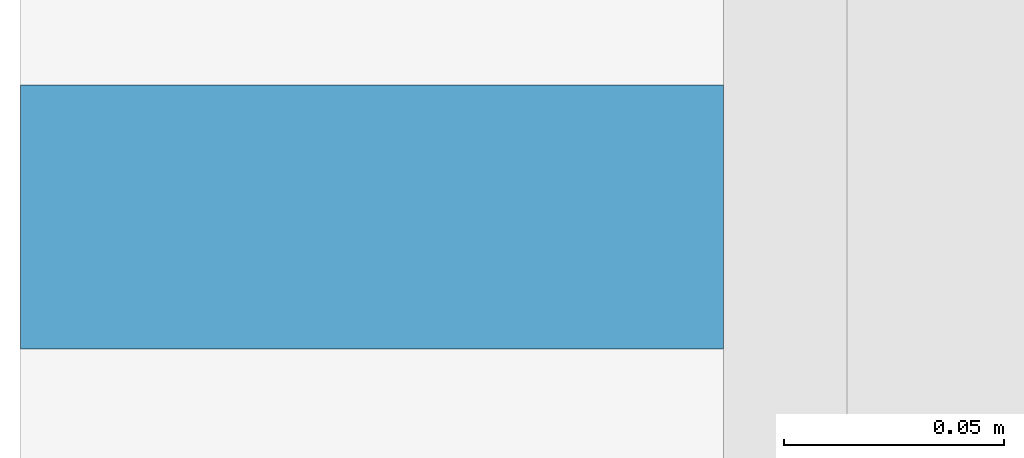
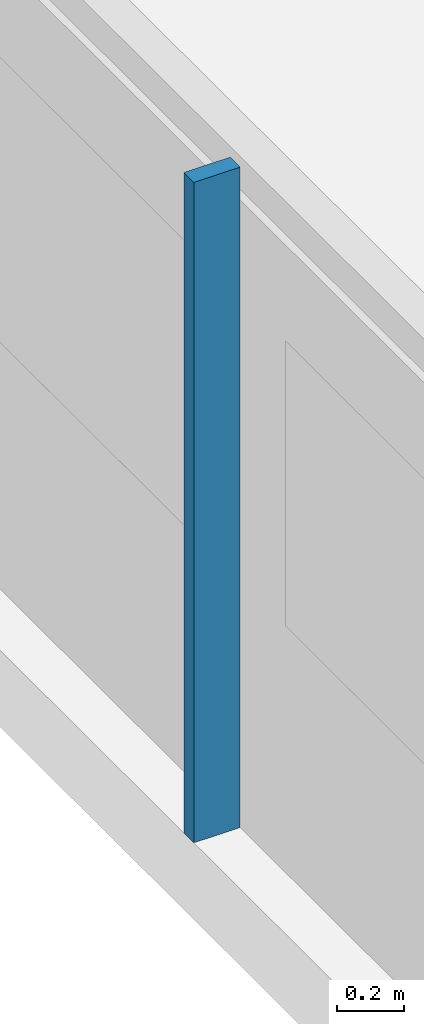
# One storey, part 4 of 24: 1 member, 1 element without a shape of its own.
"""IFC4 building model written with IfcOpenShell, lengths in metres."""

from ifc_helpers import new_model, si_unit, direction, frame, origin, origin_2d, place, context, subcontext, project, spatial, rectangle, extrude, material, material_profile, profile_set, type_object, element, aggregate, save


model = new_model("IFC4")

# Units and contexts
model_context = context("Model", 3, precision=1e-05, world=origin(), true_north=direction((0.0, 1.0)))
body_context = subcontext(model_context, "Body", "Model", "MODEL_VIEW")
ifc_project = project(units=[si_unit("LENGTHUNIT", "METRE"), si_unit("AREAUNIT", "SQUARE_METRE"), si_unit("VOLUMEUNIT", "CUBIC_METRE"), si_unit("PLANEANGLEUNIT", "RADIAN"), si_unit("MASSUNIT", "GRAM", prefix="KILO")], contexts=[model_context])

# Site, building, storey
site_placement = place(None, origin())
site = spatial("IfcSite", under=ifc_project, at=site_placement, CompositionType="ELEMENT")
building_placement = place(site_placement, origin())
building = spatial("IfcBuilding", under=site, at=building_placement, Name="Saffron Gate Tower", CompositionType="ELEMENT")
storey_placement = place(building_placement, frame((0.0, 0.0, 190.64990234375)))
storey = spatial("IfcBuildingStorey", under=building, at=storey_placement, Name="L47", CompositionType="ELEMENT", Elevation=190.64990234375)

# Curtain wall, member
ifc_material = material(Name="Aluminium, bronze anodised", Category="aluminium")
curtain_wall_type = type_object("IfcCurtainWallType", Name="CWS2 curtain wall side facades", PredefinedType="NOTDEFINED", material=ifc_material)
curtain_wall_placement = place(storey_placement, origin())
curtain_wall = element("IfcCurtainWall", 1, at=curtain_wall_placement, inside=storey, type_object=curtain_wall_type, Name="CWS2 run 10", PredefinedType="NOTDEFINED")
ifc_material_profile = material_profile(ifc_material, rectangle(XDim=0.159912109375, YDim=0.06005859375, at=origin_2d()))
ifc_profile_set = profile_set([ifc_material_profile], Name="Aluminium, bronze anodised")
member_type = type_object("IfcMemberType", Name="CWS2 mullion 60x160", PredefinedType="MULLION", material=ifc_profile_set)
member_placement = place(storey_placement, frame((48.080078125, 48.60009765625, 0.0), z_axis=(0.0, 0.0, 1.0), x_axis=(1.0, 0.0, 0.0)))
member = element("IfcMember", 2, at=member_placement, type_object=member_type, Name="CWS2 mullion 4", PredefinedType="MULLION", context=body_context, shape_type="SweptSolid", body=[
    extrude(rectangle(XDim=0.159912109375, YDim=0.06005859375, at=origin_2d()), origin(), (0.0, 0.0, 1.0), 2.41015625),
])
aggregate(curtain_wall, [member])

save(model, "model.ifc")
